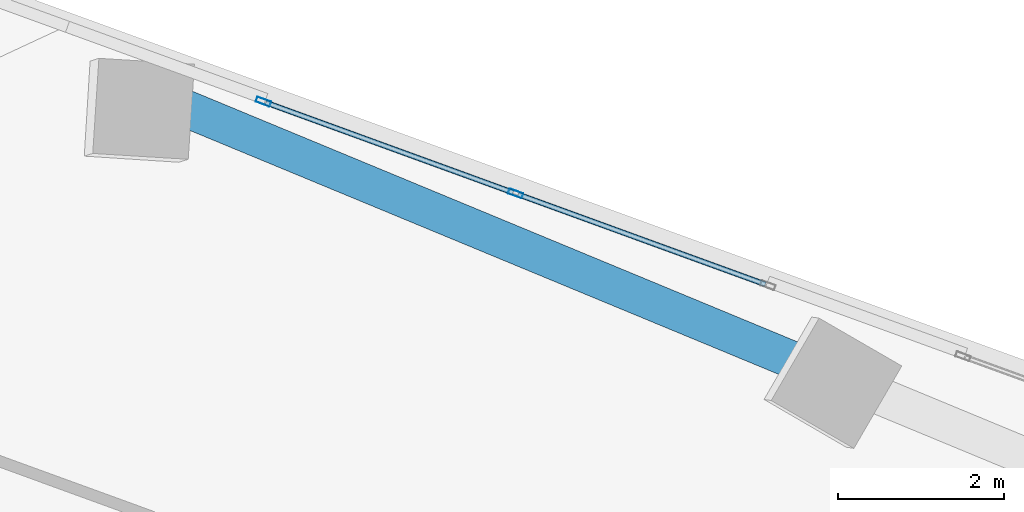
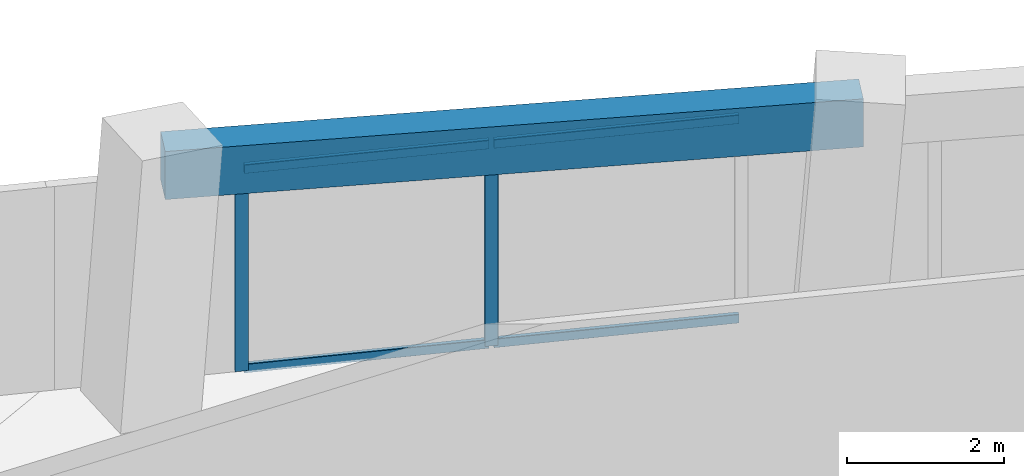
# One storey, part 13 of 21: 6 members, 1 beam, 1 element without a shape of its own.
"""IFC4 building model written with IfcOpenShell, lengths in metres."""

from ifc_helpers import new_model, si_unit, direction, frame, origin, origin_2d, place, context, subcontext, project, spatial, rectangle, hollow_rectangle, extrude, source, transform, mapped, material, material_profile, profile_set, type_object, element, aggregate, save


model = new_model("IFC4")

# Units and contexts
model_context = context("Model", 3, precision=1e-05, world=origin(), true_north=direction((0.0, 1.0)))
body_context = subcontext(model_context, "Body", "Model", "MODEL_VIEW")
ifc_project = project(units=[si_unit("LENGTHUNIT", "METRE"), si_unit("AREAUNIT", "SQUARE_METRE"), si_unit("VOLUMEUNIT", "CUBIC_METRE"), si_unit("PLANEANGLEUNIT", "RADIAN"), si_unit("MASSUNIT", "GRAM", prefix="KILO")], contexts=[model_context])

# Site, building, storey
site_placement = place(None, origin())
site = spatial("IfcSite", under=ifc_project, at=site_placement, CompositionType="ELEMENT")
building_placement = place(site_placement, origin())
building = spatial("IfcBuilding", under=site, at=building_placement, Name="Torre Montelarca", CompositionType="ELEMENT")
storey_placement = place(building_placement, frame((0.0, 0.0, 137.199951171875)))
storey = spatial("IfcBuildingStorey", under=building, at=storey_placement, Name="L30", CompositionType="ELEMENT", Elevation=137.199951171875)

# Beam
ifc_material_1 = material(Name="Concrete C55/67", Category="concrete")
ifc_material_profile_1 = material_profile(ifc_material_1, rectangle(XDim=0.449951171875, YDim=0.75, at=origin_2d()), Name="RCB450X750", Category="concrete")
ifc_profile_set_1 = profile_set([ifc_material_profile_1], Name="Concrete C55/67")
beam_type = type_object("IfcBeamType", Name="BM-SP-RC750-EXT", PredefinedType="SPANDREL", material=ifc_profile_set_1)
shared_shape_1 = source(origin(), body_context, "Body", "SweptSolid", [
    extrude(rectangle(XDim=0.449951171875, YDim=0.75, at=origin_2d()), origin(), (0.0, 0.0, 1.0), 9.0),
])
beam_placement = place(storey_placement, frame((15.749267578125, 50.7802734375, 3.5849609375), z_axis=(0.923882270716, -0.382676821686, 0.0), x_axis=(0.382676821686, 0.923882270716, 0.0)))
element("IfcBeam", 1, at=beam_placement, inside=storey, type_object=beam_type, Name="L30 Grid Girder X 9.0-18.0 at Y=47.1", PredefinedType="SPANDREL", context=body_context, shape_type="MappedRepresentation", body=[
    mapped(shared_shape_1, transform((0.0, 0.0, 0.0), scale=1.0)),
])

# Curtain wall, members
ifc_material_2 = material(Name="Insulated low-E laminated glass", Category="glass")
curtain_wall_type = type_object("IfcCurtainWallType", Name="CW-SYS-Z2", PredefinedType="USERDEFINED", material=ifc_material_2)
curtain_wall_placement = place(storey_placement, origin())
curtain_wall = element("IfcCurtainWall", 2, at=curtain_wall_placement, inside=storey, type_object=curtain_wall_type, Name="L30 Curtain Wall Run CW-T3-L30-E08-B2", ObjectType="UNITISED GLAZING", PredefinedType="USERDEFINED")
ifc_material_3 = material(Name="Anodised aluminium AA 6063-T6", Category="aluminium")
ifc_material_profile_2 = material_profile(ifc_material_3, hollow_rectangle(XDim=0.06494140625, YDim=0.179931640625, WallThickness=0.00390625, InnerFilletRadius=0.00390625, OuterFilletRadius=0.008056640625, at=origin_2d()), Name="ALU65X180X4", Category="aluminium")
ifc_profile_set_2 = profile_set([ifc_material_profile_2], Name="Anodised aluminium AA 6063-T6")
member_type_1 = type_object("IfcMemberType", Name="CWM-ALU180", PredefinedType="MULLION", material=ifc_profile_set_2)
shared_shape_2 = source(origin(), body_context, "Body", "SweptSolid", [
    extrude(hollow_rectangle(XDim=0.06494140625, YDim=0.179931640625, WallThickness=0.00390625, InnerFilletRadius=0.00390625, OuterFilletRadius=0.008056640625, at=origin_2d()), origin(), (0.0, 0.0, 1.0), 3.175048828125),
])
member_1_placement = place(storey_placement, frame((19.950439453125, 49.665283203125, 0.0), z_axis=(0.0, 0.0, 1.0), x_axis=(-0.342016471068, -0.93969395737, 0.0)))
member_1 = element("IfcMember", 3, at=member_1_placement, type_object=member_type_1, Name="CW mullion 2", PredefinedType="MULLION", context=body_context, shape_type="MappedRepresentation", body=[
    mapped(shared_shape_2, transform((0.0, 0.0, 0.0), scale=1.0)),
])
member_2_placement = place(storey_placement, frame((16.904296875, 50.77392578125, 0.0), z_axis=(0.0, 0.0, 1.0), x_axis=(-0.342016471068, -0.93969395737, 0.0)))
member_2 = element("IfcMember", 4, at=member_2_placement, type_object=member_type_1, Name="CW mullion 3", PredefinedType="MULLION", context=body_context, shape_type="MappedRepresentation", body=[
    mapped(shared_shape_2, transform((0.0, 0.0, 0.0), scale=1.0)),
])
ifc_material_profile_3 = material_profile(ifc_material_3, hollow_rectangle(XDim=0.06494140625, YDim=0.139892578125, WallThickness=0.00390625, InnerFilletRadius=0.00390625, OuterFilletRadius=0.008056640625, at=origin_2d()), Name="ALU65X140X4", Category="aluminium")
ifc_profile_set_3 = profile_set([ifc_material_profile_3], Name="Anodised aluminium AA 6063-T6")
member_type_2 = type_object("IfcMemberType", Name="CWT-ALU140", PredefinedType="USERDEFINED", material=ifc_profile_set_3)
shared_shape_3 = source(origin(), body_context, "Body", "SweptSolid", [
    extrude(hollow_rectangle(XDim=0.06494140625, YDim=0.139892578125, WallThickness=0.00390625, InnerFilletRadius=0.00390625, OuterFilletRadius=0.008056640625, at=origin_2d()), origin(), (0.0, 0.0, 1.0), 3.177001953125),
])
member_3_placement = place(storey_placement, frame((22.96630859375, 48.567626953125, 0.032470703125), z_axis=(-0.939708131245, 0.341977525682, 0.0), x_axis=(-0.341977525682, -0.939708131245, 0.0)))
member_3 = element("IfcMember", 5, at=member_3_placement, type_object=member_type_2, Name="CW transom 1.1", ObjectType="TRANSOM", PredefinedType="USERDEFINED", context=body_context, shape_type="MappedRepresentation", body=[
    mapped(shared_shape_3, transform((0.0, 0.0, 0.0), scale=1.0)),
])
member_4_placement = place(storey_placement, frame((22.96630859375, 48.567626953125, 3.142578125), z_axis=(-0.939708131245, 0.341977525682, 0.0), x_axis=(-0.341977525682, -0.939708131245, 0.0)))
member_4 = element("IfcMember", 6, at=member_4_placement, type_object=member_type_2, Name="CW transom 1.2", ObjectType="TRANSOM", PredefinedType="USERDEFINED", context=body_context, shape_type="MappedRepresentation", body=[
    mapped(shared_shape_3, transform((0.0, 0.0, 0.0), scale=1.0)),
])
shared_shape_4 = source(origin(), body_context, "Body", "SweptSolid", [
    extrude(hollow_rectangle(XDim=0.06494140625, YDim=0.139892578125, WallThickness=0.00390625, InnerFilletRadius=0.00390625, OuterFilletRadius=0.008056640625, at=origin_2d()), origin(), (0.0, 0.0, 1.0), 3.1767578125),
])
member_5_placement = place(storey_placement, frame((19.919921875, 49.67626953125, 0.032470703125), z_axis=(-0.939674441683, 0.34207008587, 0.0), x_axis=(-0.34207008587, -0.939674441683, 0.0)))
member_5 = element("IfcMember", 7, at=member_5_placement, type_object=member_type_2, Name="CW transom 2.1", ObjectType="TRANSOM", PredefinedType="USERDEFINED", context=body_context, shape_type="MappedRepresentation", body=[
    mapped(shared_shape_4, transform((0.0, 0.0, 0.0), scale=1.0)),
])
member_6_placement = place(storey_placement, frame((19.919921875, 49.67626953125, 3.142578125), z_axis=(-0.939674441683, 0.34207008587, 0.0), x_axis=(-0.34207008587, -0.939674441683, 0.0)))
member_6 = element("IfcMember", 8, at=member_6_placement, type_object=member_type_2, Name="CW transom 2.2", ObjectType="TRANSOM", PredefinedType="USERDEFINED", context=body_context, shape_type="MappedRepresentation", body=[
    mapped(shared_shape_4, transform((0.0, 0.0, 0.0), scale=1.0)),
])
aggregate(curtain_wall, [member_1, member_2, member_3, member_4, member_5, member_6])

save(model, "model.ifc")
